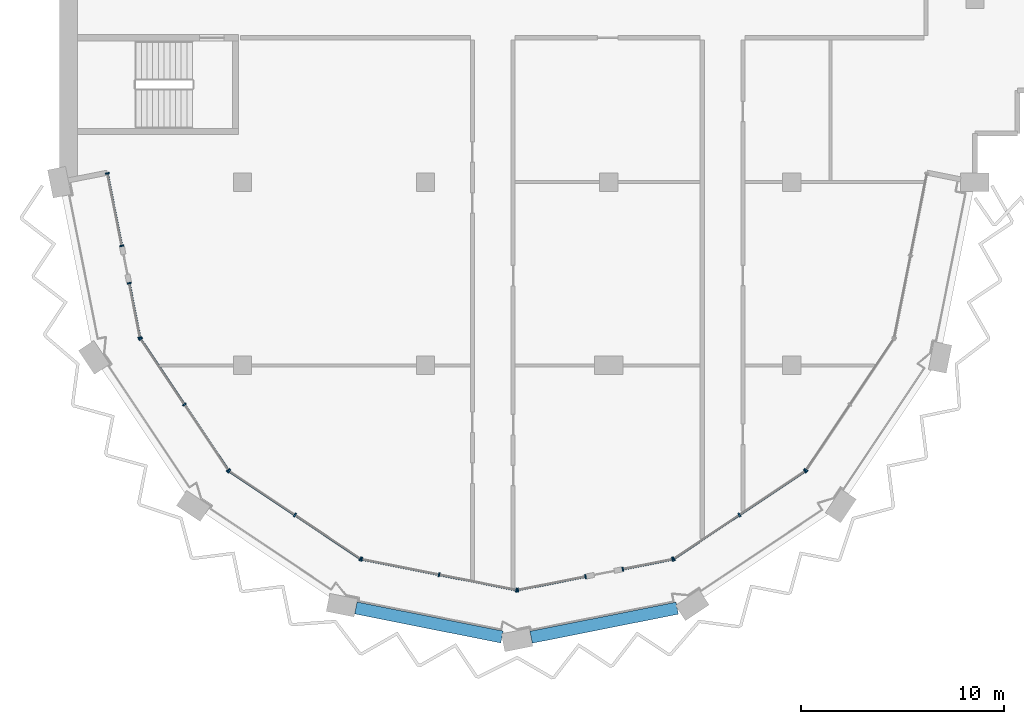
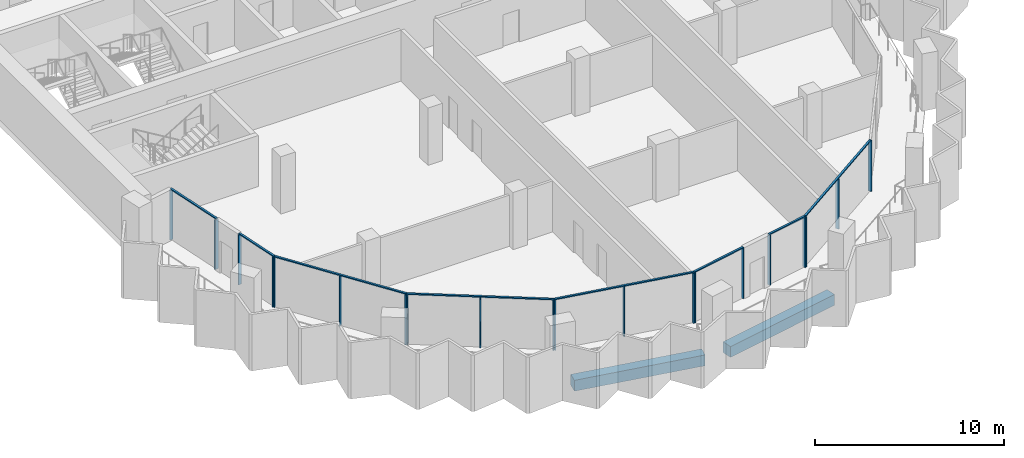
# One storey, part 2 of 13: 29 members, 2 beams, 9 elements without a shape of their own.
"""IFC4 building model written with IfcOpenShell, lengths in metres."""

from ifc_helpers import new_model, si_unit, direction, frame, origin, origin_2d, place, context, subcontext, project, spatial, rectangle, extrude, material, material_profile, profile_set, type_object, element, aggregate, save


model = new_model("IFC4")

# Units and contexts
model_context = context("Model", 3, precision=1e-05, world=origin(), true_north=direction((0.0, 1.0)))
body_context = subcontext(model_context, "Body", "Model", "MODEL_VIEW")
ifc_project = project(units=[si_unit("LENGTHUNIT", "METRE"), si_unit("AREAUNIT", "SQUARE_METRE"), si_unit("VOLUMEUNIT", "CUBIC_METRE"), si_unit("PLANEANGLEUNIT", "RADIAN"), si_unit("MASSUNIT", "GRAM", prefix="KILO")], contexts=[model_context])

# Site, building, storey
site_placement = place(None, origin())
site = spatial("IfcSite", under=ifc_project, at=site_placement, CompositionType="ELEMENT")
building_placement = place(site_placement, origin())
building = spatial("IfcBuilding", under=site, at=building_placement, Name="Hunhe Ridgeline Campus", CompositionType="ELEMENT")
storey_placement = place(building_placement, frame((0.0, 0.0, 280.800048828125)))
storey = spatial("IfcBuildingStorey", under=building, at=storey_placement, Name="L72", CompositionType="ELEMENT", Elevation=280.800048828125)

# Curtain wall, members
ifc_material_1 = material(Name="Aluminium 6063", Category="aluminium")
curtain_wall_type = type_object("IfcCurtainWallType", Name="Curtain wall CW-5", PredefinedType="NOTDEFINED", material=ifc_material_1)
curtain_wall_1_placement = place(storey_placement, origin())
curtain_wall_1 = element("IfcCurtainWall", 1, at=curtain_wall_1_placement, inside=storey, type_object=curtain_wall_type, Name="Curtain wall 01", PredefinedType="NOTDEFINED")
ifc_material_profile_1 = material_profile(ifc_material_1, rectangle(XDim=0.199951171875, YDim=0.070068359375, at=origin_2d()))
ifc_profile_set_1 = profile_set([ifc_material_profile_1], Name="Aluminium 6063")
member_type_1 = type_object("IfcMemberType", Name="CW-5 aluminium mullion", PredefinedType="MULLION", material=ifc_profile_set_1)
member_1_placement = place(storey_placement, frame((2.361572265625, 54.434326171875, 0.0), z_axis=(0.0, 0.0, 1.0), x_axis=(0.980784284924, 0.195095326561, 0.0)))
member_1 = element("IfcMember", 2, at=member_1_placement, type_object=member_type_1, Name="CW-5 mullion 1", PredefinedType="MULLION", context=body_context, shape_type="SweptSolid", body=[
    extrude(rectangle(XDim=0.199951171875, YDim=0.070068359375, at=origin_2d()), origin(), (0.0, 0.0, 1.0), 3.22998046875),
])
member_2_placement = place(storey_placement, frame((3.070068359375, 50.873291015625, 0.0), z_axis=(0.0, 0.0, 1.0), x_axis=(0.980784284924, 0.195095326561, 0.0)))
member_2 = element("IfcMember", 3, at=member_2_placement, type_object=member_type_1, Name="CW-5 mullion 2", PredefinedType="MULLION", context=body_context, shape_type="SweptSolid", body=[
    extrude(rectangle(XDim=0.199951171875, YDim=0.070068359375, at=origin_2d()), origin(), (0.0, 0.0, 1.0), 3.22998046875),
])

curtain_wall_2_placement = place(storey_placement, origin())
curtain_wall_2 = element("IfcCurtainWall", 4, at=curtain_wall_2_placement, inside=storey, type_object=curtain_wall_type, Name="Curtain wall 02", PredefinedType="NOTDEFINED")
member_3_placement = place(storey_placement, frame((3.434814453125, 49.0390625, 0.0), z_axis=(0.0, 0.0, 1.0), x_axis=(0.980784297053, 0.195095265587, 0.0)))
member_3 = element("IfcMember", 5, at=member_3_placement, type_object=member_type_1, Name="CW-5 mullion 1", PredefinedType="MULLION", context=body_context, shape_type="SweptSolid", body=[
    extrude(rectangle(XDim=0.199951171875, YDim=0.070068359375, at=origin_2d()), origin(), (0.0, 0.0, 1.0), 3.22998046875),
])
member_4_placement = place(storey_placement, frame((3.967529296875, 46.36083984375, 0.0), z_axis=(0.0, 0.0, 1.0), x_axis=(0.980784297053, 0.195095265587, 0.0)))
member_4 = element("IfcMember", 6, at=member_4_placement, type_object=member_type_1, Name="CW-5 mullion 2", PredefinedType="MULLION", context=body_context, shape_type="SweptSolid", body=[
    extrude(rectangle(XDim=0.199951171875, YDim=0.070068359375, at=origin_2d()), origin(), (0.0, 0.0, 1.0), 3.22998046875),
])

curtain_wall_3_placement = place(storey_placement, origin())
curtain_wall_3 = element("IfcCurtainWall", 7, at=curtain_wall_3_placement, inside=storey, type_object=curtain_wall_type, Name="Curtain wall 03", PredefinedType="NOTDEFINED")
member_5_placement = place(storey_placement, frame((3.993896484375, 46.29736328125, 0.0), z_axis=(0.0, 0.0, 1.0), x_axis=(0.831469584522, 0.555570274596, 0.0)))
member_5 = element("IfcMember", 8, at=member_5_placement, type_object=member_type_1, Name="CW-5 mullion 1", PredefinedType="MULLION", context=body_context, shape_type="SweptSolid", body=[
    extrude(rectangle(XDim=0.199951171875, YDim=0.070068359375, at=origin_2d()), origin(), (0.0, 0.0, 1.0), 3.22998046875),
])
member_6_placement = place(storey_placement, frame((6.147705078125, 43.07373046875, 0.0), z_axis=(0.0, 0.0, 1.0), x_axis=(0.831469584522, 0.555570274596, 0.0)))
member_6 = element("IfcMember", 9, at=member_6_placement, type_object=member_type_1, Name="CW-5 mullion 2", PredefinedType="MULLION", context=body_context, shape_type="SweptSolid", body=[
    extrude(rectangle(XDim=0.199951171875, YDim=0.070068359375, at=origin_2d()), origin(), (0.0, 0.0, 1.0), 3.22998046875),
])
member_7_placement = place(storey_placement, frame((8.3017578125, 39.850341796875, 0.0), z_axis=(0.0, 0.0, 1.0), x_axis=(0.831469584522, 0.555570274596, 0.0)))
member_7 = element("IfcMember", 10, at=member_7_placement, type_object=member_type_1, Name="CW-5 mullion 3", PredefinedType="MULLION", context=body_context, shape_type="SweptSolid", body=[
    extrude(rectangle(XDim=0.199951171875, YDim=0.070068359375, at=origin_2d()), origin(), (0.0, 0.0, 1.0), 3.22998046875),
])

curtain_wall_4_placement = place(storey_placement, origin())
curtain_wall_4 = element("IfcCurtainWall", 11, at=curtain_wall_4_placement, inside=storey, type_object=curtain_wall_type, Name="Curtain wall 04", PredefinedType="NOTDEFINED")
member_8_placement = place(storey_placement, frame((8.350341796875, 39.8017578125, 0.0), z_axis=(0.0, 0.0, 1.0), x_axis=(0.555570274596, 0.831469584522, 0.0)))
member_8 = element("IfcMember", 12, at=member_8_placement, type_object=member_type_1, Name="CW-5 mullion 1", PredefinedType="MULLION", context=body_context, shape_type="SweptSolid", body=[
    extrude(rectangle(XDim=0.199951171875, YDim=0.070068359375, at=origin_2d()), origin(), (0.0, 0.0, 1.0), 3.22998046875),
])
member_9_placement = place(storey_placement, frame((11.57373046875, 37.647705078125, 0.0), z_axis=(0.0, 0.0, 1.0), x_axis=(0.555570274596, 0.831469584522, 0.0)))
member_9 = element("IfcMember", 13, at=member_9_placement, type_object=member_type_1, Name="CW-5 mullion 2", PredefinedType="MULLION", context=body_context, shape_type="SweptSolid", body=[
    extrude(rectangle(XDim=0.199951171875, YDim=0.070068359375, at=origin_2d()), origin(), (0.0, 0.0, 1.0), 3.22998046875),
])
member_10_placement = place(storey_placement, frame((14.79736328125, 35.493896484375, 0.0), z_axis=(0.0, 0.0, 1.0), x_axis=(0.555570274596, 0.831469584522, 0.0)))
member_10 = element("IfcMember", 14, at=member_10_placement, type_object=member_type_1, Name="CW-5 mullion 3", PredefinedType="MULLION", context=body_context, shape_type="SweptSolid", body=[
    extrude(rectangle(XDim=0.199951171875, YDim=0.070068359375, at=origin_2d()), origin(), (0.0, 0.0, 1.0), 3.22998046875),
])

curtain_wall_5_placement = place(storey_placement, origin())
curtain_wall_5 = element("IfcCurtainWall", 15, at=curtain_wall_5_placement, inside=storey, type_object=curtain_wall_type, Name="Curtain wall 05", PredefinedType="NOTDEFINED")
member_11_placement = place(storey_placement, frame((14.86083984375, 35.467529296875, 0.0), z_axis=(0.0, 0.0, 1.0), x_axis=(0.195090347539, 0.980785275326, 0.0)))
member_11 = element("IfcMember", 16, at=member_11_placement, type_object=member_type_1, Name="CW-5 mullion 1", PredefinedType="MULLION", context=body_context, shape_type="SweptSolid", body=[
    extrude(rectangle(XDim=0.199951171875, YDim=0.070068359375, at=origin_2d()), origin(), (0.0, 0.0, 1.0), 3.22998046875),
])
member_12_placement = place(storey_placement, frame((18.663330078125, 34.711181640625, 0.0), z_axis=(0.0, 0.0, 1.0), x_axis=(0.195090347539, 0.980785275326, 0.0)))
member_12 = element("IfcMember", 17, at=member_12_placement, type_object=member_type_1, Name="CW-5 mullion 2", PredefinedType="MULLION", context=body_context, shape_type="SweptSolid", body=[
    extrude(rectangle(XDim=0.199951171875, YDim=0.070068359375, at=origin_2d()), origin(), (0.0, 0.0, 1.0), 3.22998046875),
])
member_13_placement = place(storey_placement, frame((22.465576171875, 33.954833984375, 0.0), z_axis=(0.0, 0.0, 1.0), x_axis=(0.195090347539, 0.980785275326, 0.0)))
member_13 = element("IfcMember", 18, at=member_13_placement, type_object=member_type_1, Name="CW-5 mullion 3", PredefinedType="MULLION", context=body_context, shape_type="SweptSolid", body=[
    extrude(rectangle(XDim=0.199951171875, YDim=0.070068359375, at=origin_2d()), origin(), (0.0, 0.0, 1.0), 3.22998046875),
])

curtain_wall_6_placement = place(storey_placement, origin())
curtain_wall_6 = element("IfcCurtainWall", 19, at=curtain_wall_6_placement, inside=storey, type_object=curtain_wall_type, Name="Curtain wall 06", PredefinedType="NOTDEFINED")
member_14_placement = place(storey_placement, frame((22.534423828125, 33.954833984375, 0.0), z_axis=(0.0, 0.0, 1.0), x_axis=(-0.19509037034, 0.980785270791, 0.0)))
member_14 = element("IfcMember", 20, at=member_14_placement, type_object=member_type_1, Name="CW-5 mullion 1", PredefinedType="MULLION", context=body_context, shape_type="SweptSolid", body=[
    extrude(rectangle(XDim=0.199951171875, YDim=0.070068359375, at=origin_2d()), origin(), (0.0, 0.0, 1.0), 3.22998046875),
])
member_15_placement = place(storey_placement, frame((25.861083984375, 34.61669921875, 0.0), z_axis=(0.0, 0.0, 1.0), x_axis=(-0.19509037034, 0.980785270791, 0.0)))
member_15 = element("IfcMember", 21, at=member_15_placement, type_object=member_type_1, Name="CW-5 mullion 2", PredefinedType="MULLION", context=body_context, shape_type="SweptSolid", body=[
    extrude(rectangle(XDim=0.199951171875, YDim=0.070068359375, at=origin_2d()), origin(), (0.0, 0.0, 1.0), 3.22998046875),
])

curtain_wall_7_placement = place(storey_placement, origin())
curtain_wall_7 = element("IfcCurtainWall", 22, at=curtain_wall_7_placement, inside=storey, type_object=curtain_wall_type, Name="Curtain wall 07", PredefinedType="NOTDEFINED")
member_16_placement = place(storey_placement, frame((27.695068359375, 34.9814453125, 0.0), z_axis=(0.0, 0.0, 1.0), x_axis=(-0.195090514627, 0.980785242091, 0.0)))
member_16 = element("IfcMember", 23, at=member_16_placement, type_object=member_type_1, Name="CW-5 mullion 1", PredefinedType="MULLION", context=body_context, shape_type="SweptSolid", body=[
    extrude(rectangle(XDim=0.199951171875, YDim=0.070068359375, at=origin_2d()), origin(), (0.0, 0.0, 1.0), 3.22998046875),
])
member_17_placement = place(storey_placement, frame((30.13916015625, 35.467529296875, 0.0), z_axis=(0.0, 0.0, 1.0), x_axis=(-0.195090514627, 0.980785242091, 0.0)))
member_17 = element("IfcMember", 24, at=member_17_placement, type_object=member_type_1, Name="CW-5 mullion 2", PredefinedType="MULLION", context=body_context, shape_type="SweptSolid", body=[
    extrude(rectangle(XDim=0.199951171875, YDim=0.070068359375, at=origin_2d()), origin(), (0.0, 0.0, 1.0), 3.22998046875),
])

curtain_wall_8_placement = place(storey_placement, origin())
curtain_wall_8 = element("IfcCurtainWall", 25, at=curtain_wall_8_placement, inside=storey, type_object=curtain_wall_type, Name="Curtain wall 08", PredefinedType="NOTDEFINED")
member_18_placement = place(storey_placement, frame((30.20263671875, 35.493896484375, 0.0), z_axis=(0.0, 0.0, 1.0), x_axis=(-0.555570274596, 0.831469584522, 0.0)))
member_18 = element("IfcMember", 26, at=member_18_placement, type_object=member_type_1, Name="CW-5 mullion 1", PredefinedType="MULLION", context=body_context, shape_type="SweptSolid", body=[
    extrude(rectangle(XDim=0.199951171875, YDim=0.070068359375, at=origin_2d()), origin(), (0.0, 0.0, 1.0), 3.22998046875),
])
member_19_placement = place(storey_placement, frame((33.42626953125, 37.647705078125, 0.0), z_axis=(0.0, 0.0, 1.0), x_axis=(-0.555570274596, 0.831469584522, 0.0)))
member_19 = element("IfcMember", 27, at=member_19_placement, type_object=member_type_1, Name="CW-5 mullion 2", PredefinedType="MULLION", context=body_context, shape_type="SweptSolid", body=[
    extrude(rectangle(XDim=0.199951171875, YDim=0.070068359375, at=origin_2d()), origin(), (0.0, 0.0, 1.0), 3.22998046875),
])
member_20_placement = place(storey_placement, frame((36.649658203125, 39.8017578125, 0.0), z_axis=(0.0, 0.0, 1.0), x_axis=(-0.555570274596, 0.831469584522, 0.0)))
member_20 = element("IfcMember", 28, at=member_20_placement, type_object=member_type_1, Name="CW-5 mullion 3", PredefinedType="MULLION", context=body_context, shape_type="SweptSolid", body=[
    extrude(rectangle(XDim=0.199951171875, YDim=0.070068359375, at=origin_2d()), origin(), (0.0, 0.0, 1.0), 3.22998046875),
])

# Curtain wall, member
curtain_wall_9_placement = place(storey_placement, origin())
curtain_wall_9 = element("IfcCurtainWall", 29, at=curtain_wall_9_placement, inside=storey, type_object=curtain_wall_type, Name="Curtain wall 09", PredefinedType="NOTDEFINED")
member_21_placement = place(storey_placement, frame((36.6982421875, 39.850341796875, 0.0), z_axis=(0.0, 0.0, 1.0), x_axis=(-0.831469584522, 0.555570274596, 0.0)))
member_21 = element("IfcMember", 30, at=member_21_placement, type_object=member_type_1, Name="CW-5 mullion 1", PredefinedType="MULLION", context=body_context, shape_type="SweptSolid", body=[
    extrude(rectangle(XDim=0.199951171875, YDim=0.070068359375, at=origin_2d()), origin(), (0.0, 0.0, 1.0), 3.22998046875),
])
aggregate(curtain_wall_9, [member_21])

# Member
ifc_material_profile_2 = material_profile(ifc_material_1, rectangle(XDim=0.1201171875, YDim=0.070068359375, at=origin_2d()))
ifc_profile_set_2 = profile_set([ifc_material_profile_2], Name="Aluminium 6063")
member_type_2 = type_object("IfcMemberType", Name="CW-5 aluminium transom", PredefinedType="USERDEFINED", material=ifc_profile_set_2)
member_22_placement = place(storey_placement, frame((2.354736328125, 54.46875, 3.264892578125), z_axis=(0.195126549745, -0.980778073564, 0.0), x_axis=(0.980778073564, 0.195126549745, 0.0)))
member_22 = element("IfcMember", 31, at=member_22_placement, type_object=member_type_2, Name="CW-5 transom 1", ObjectType="TRANSOM", PredefinedType="USERDEFINED", context=body_context, shape_type="SweptSolid", body=[
    extrude(rectangle(XDim=0.1201171875, YDim=0.070068359375, at=origin_2d()), origin(), (0.0, 0.0, 1.0), 3.700927734375),
])

aggregate(curtain_wall_1, [member_22, member_1, member_2])

member_23_placement = place(storey_placement, frame((3.427978515625, 49.073486328125, 3.264892578125), z_axis=(0.195076742145, -0.98078798151, 0.0), x_axis=(0.98078798151, 0.195076742145, 0.0)))
member_23 = element("IfcMember", 32, at=member_23_placement, type_object=member_type_2, Name="CW-5 transom 1", ObjectType="TRANSOM", PredefinedType="USERDEFINED", context=body_context, shape_type="SweptSolid", body=[
    extrude(rectangle(XDim=0.1201171875, YDim=0.070068359375, at=origin_2d()), origin(), (0.0, 0.0, 1.0), 2.80078125),
])

aggregate(curtain_wall_2, [member_23, member_3, member_4])

member_24_placement = place(storey_placement, frame((3.974365234375, 46.326416015625, 3.264892578125), z_axis=(0.5555640203, -0.831473763475, 0.0), x_axis=(0.831473763475, 0.5555640203, 0.0)))
member_24 = element("IfcMember", 33, at=member_24_placement, type_object=member_type_2, Name="CW-5 transom 1", ObjectType="TRANSOM", PredefinedType="USERDEFINED", context=body_context, shape_type="SweptSolid", body=[
    extrude(rectangle(XDim=0.1201171875, YDim=0.070068359375, at=origin_2d()), origin(), (0.0, 0.0, 1.0), 7.823974609375),
])

aggregate(curtain_wall_3, [member_24, member_5, member_6, member_7])

member_25_placement = place(storey_placement, frame((8.321044921875, 39.821044921875, 3.264892578125), z_axis=(0.831473763475, -0.5555640203, 0.0), x_axis=(0.5555640203, 0.831473763475, 0.0)))
member_25 = element("IfcMember", 34, at=member_25_placement, type_object=member_type_2, Name="CW-5 transom 1", ObjectType="TRANSOM", PredefinedType="USERDEFINED", context=body_context, shape_type="SweptSolid", body=[
    extrude(rectangle(XDim=0.1201171875, YDim=0.070068359375, at=origin_2d()), origin(), (0.0, 0.0, 1.0), 7.823974609375),
])

aggregate(curtain_wall_4, [member_25, member_8, member_9, member_10])

member_26_placement = place(storey_placement, frame((14.826416015625, 35.474365234375, 3.264892578125), z_axis=(0.980785367689, -0.195089883198, 0.0), x_axis=(0.195089883198, 0.980785367689, 0.0)))
member_26 = element("IfcMember", 35, at=member_26_placement, type_object=member_type_2, Name="CW-5 transom 1", ObjectType="TRANSOM", PredefinedType="USERDEFINED", context=body_context, shape_type="SweptSolid", body=[
    extrude(rectangle(XDim=0.1201171875, YDim=0.070068359375, at=origin_2d()), origin(), (0.0, 0.0, 1.0), 7.823974609375),
])

aggregate(curtain_wall_5, [member_26, member_11, member_12, member_13])

member_27_placement = place(storey_placement, frame((22.5, 33.947998046875, 3.264892578125), z_axis=(0.980778171596, 0.195126057004, 0.0), x_axis=(-0.195126057004, 0.980778171596, 0.0)))
member_27 = element("IfcMember", 36, at=member_27_placement, type_object=member_type_2, Name="CW-5 transom 1", ObjectType="TRANSOM", PredefinedType="USERDEFINED", context=body_context, shape_type="SweptSolid", body=[
    extrude(rectangle(XDim=0.1201171875, YDim=0.070068359375, at=origin_2d()), origin(), (0.0, 0.0, 1.0), 3.462158203125),
])

aggregate(curtain_wall_6, [member_27, member_14, member_15])

member_28_placement = place(storey_placement, frame((27.660888671875, 34.974609375, 3.264892578125), z_axis=(0.980789038007, 0.195071430315, 0.0), x_axis=(-0.195071430315, 0.980789038007, 0.0)))
member_28 = element("IfcMember", 37, at=member_28_placement, type_object=member_type_2, Name="CW-5 transom 1", ObjectType="TRANSOM", PredefinedType="USERDEFINED", context=body_context, shape_type="SweptSolid", body=[
    extrude(rectangle(XDim=0.1201171875, YDim=0.070068359375, at=origin_2d()), origin(), (0.0, 0.0, 1.0), 2.56201171875),
])

aggregate(curtain_wall_7, [member_28, member_16, member_17])

member_29_placement = place(storey_placement, frame((30.173583984375, 35.474365234375, 3.264892578125), z_axis=(0.831473763475, 0.5555640203, 0.0), x_axis=(-0.5555640203, 0.831473763475, 0.0)))
member_29 = element("IfcMember", 38, at=member_29_placement, type_object=member_type_2, Name="CW-5 transom 1", ObjectType="TRANSOM", PredefinedType="USERDEFINED", context=body_context, shape_type="SweptSolid", body=[
    extrude(rectangle(XDim=0.1201171875, YDim=0.070068359375, at=origin_2d()), origin(), (0.0, 0.0, 1.0), 7.823974609375),
])

aggregate(curtain_wall_8, [member_29, member_18, member_19, member_20])

# Beams
ifc_material_2 = material(Name="Concrete C50", Category="concrete")
ifc_material_profile_3 = material_profile(ifc_material_2, rectangle(XDim=0.60009765625, YDim=0.699951171875, at=origin_2d()))
ifc_profile_set_3 = profile_set([ifc_material_profile_3], Name="Concrete C50")
beam_type = type_object("IfcBeamType", Name="RC spandrel beam 600x700 Concrete C50", PredefinedType="SPANDREL", material=ifc_profile_set_3)
for number, where, z_axis, x_axis, name in (
    (39, (14.576171875, 33.076171875, -0.60009765625), (0.980781519208, -0.195109229868, 0.0), (0.195109229868, 0.980781519208, 0.0), "Spandrel beam B4-4 L72"),
    (40, (23.1865234375, 31.636474609375, -0.60009765625), (0.980781519208, 0.195109229868, 0.0), (-0.195109229868, 0.980781519208, 0.0), "Spandrel beam B4-5 L72"),
):
    element("IfcBeam", number, at=place(storey_placement, frame(where, z_axis=z_axis, x_axis=x_axis)), inside=storey, type_object=beam_type, Name=name, PredefinedType="SPANDREL", context=body_context, shape_type="SweptSolid", body=[
        extrude(rectangle(XDim=0.60009765625, YDim=0.699951171875, at=origin_2d()), origin(), (0.0, 0.0, 1.0), 7.3212890625),
    ])

save(model, "model.ifc")
